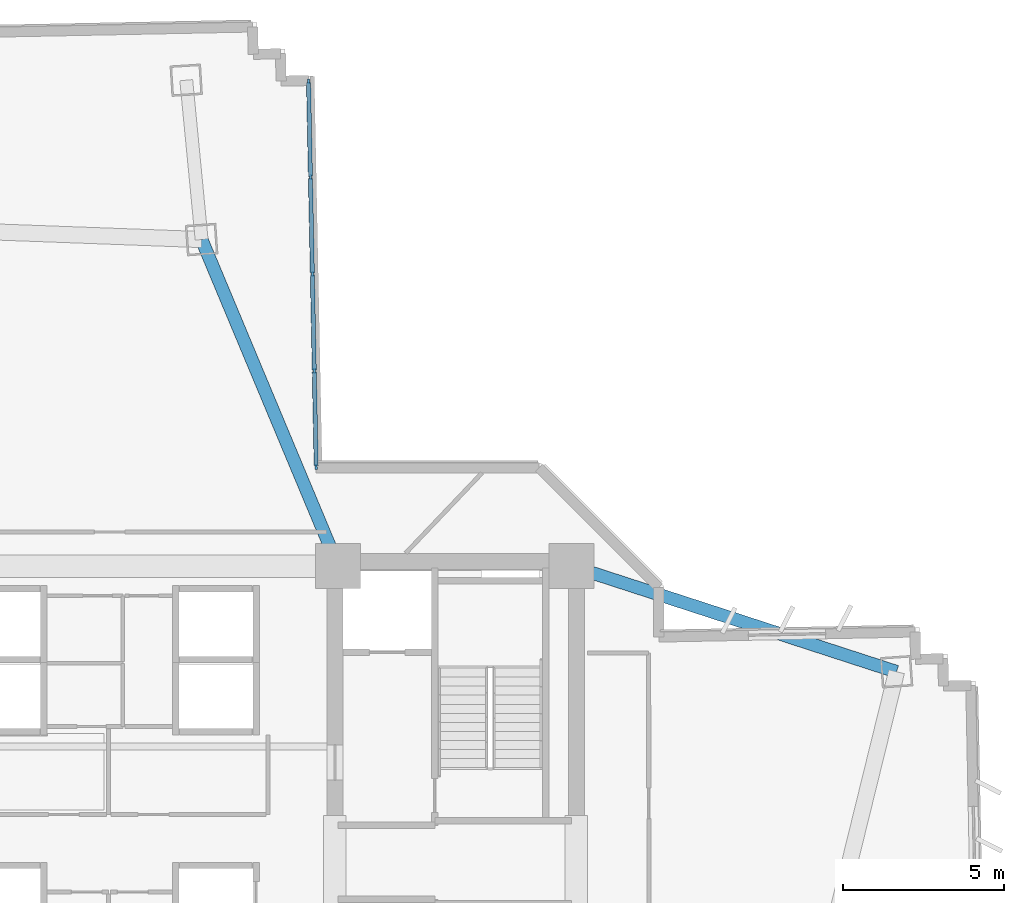
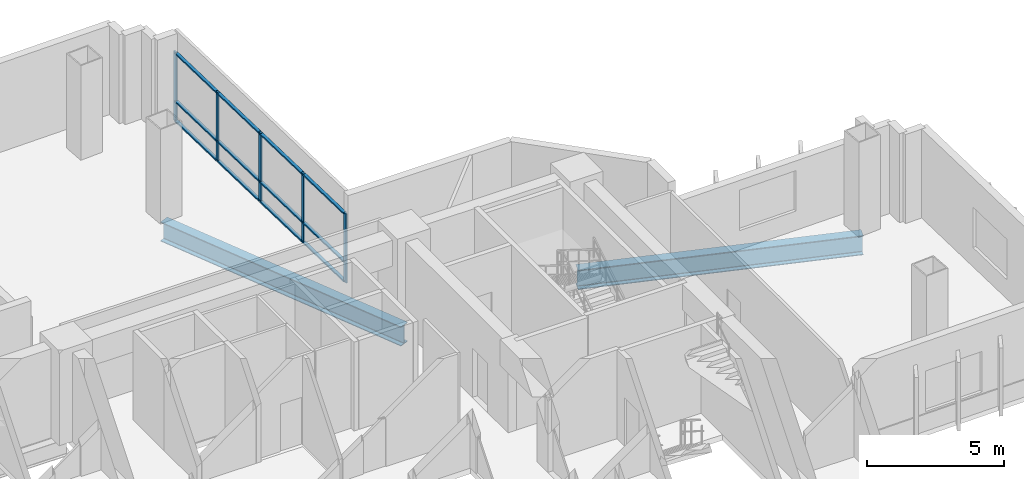
# One storey, part 4 of 15: 17 members, 2 beams, 1 element without a shape of its own.
"""IFC4 building model written with IfcOpenShell, lengths in metres."""

from ifc_helpers import new_model, si_unit, direction, frame, origin, origin_2d, place, context, subcontext, project, spatial, rectangle, i_section, extrude, source, transform, mapped, material, layer, layer_set, material_profile, profile_set, type_object, element, aggregate, save


model = new_model("IFC4")

# Units and contexts
model_context = context("Model", 3, precision=1e-05, world=origin(), true_north=direction((0.0, 1.0)))
body_context = subcontext(model_context, "Body", "Model", "MODEL_VIEW")
ifc_project = project(units=[si_unit("LENGTHUNIT", "METRE"), si_unit("AREAUNIT", "SQUARE_METRE"), si_unit("VOLUMEUNIT", "CUBIC_METRE"), si_unit("PLANEANGLEUNIT", "RADIAN"), si_unit("MASSUNIT", "GRAM", prefix="KILO")], contexts=[model_context])

# Site, building, storey
site_placement = place(None, origin())
site = spatial("IfcSite", under=ifc_project, at=site_placement, CompositionType="ELEMENT")
building_placement = place(site_placement, origin())
building = spatial("IfcBuilding", under=site, at=building_placement, Name="Zahravan Cultural Tower", CompositionType="ELEMENT")
storey_placement = place(building_placement, frame((0.0, 0.0, 41.699951171875)))
storey = spatial("IfcBuildingStorey", under=building, at=storey_placement, Name="L08", CompositionType="ELEMENT", Elevation=41.699951171875)

# Beams
ifc_material_1 = material(Name="Steel ASTM A992 Grade 50", Category="steel")
ifc_material_profile_1 = material_profile(ifc_material_1, i_section(OverallWidth=0.39990234375, OverallDepth=0.862060546875, WebThickness=0.019775390625, FlangeThickness=0.032470703125, FilletRadius=0.02001953125, at=origin_2d()), Name="W33X221")
ifc_profile_set_1 = profile_set([ifc_material_profile_1], Name="Steel ASTM A992 Grade 50")
beam_type = type_object("IfcBeamType", Name="BM-G-W33X221", PredefinedType="BEAM", material=ifc_profile_set_1)
shared_shape_1 = source(origin(), body_context, "Body", "SweptSolid", [
    extrude(i_section(OverallWidth=0.39990234375, OverallDepth=0.862060546875, WebThickness=0.019775390625, FlangeThickness=0.032470703125, FilletRadius=0.02001953125, at=origin_2d()), origin(), (0.0, 0.0, 1.0), 10.615966796875),
])
beam_1_placement = place(storey_placement, frame((50.35009765625, 36.199951171875, -0.680908203125), z_axis=(0.951063640083, -0.30899506875, 0.0), x_axis=(0.30899506875, 0.951063640083, 0.0)))
element("IfcBeam", 1, at=beam_1_placement, inside=storey, type_object=beam_type, Name="L08 Beam BG-L08-11", PredefinedType="BEAM", context=body_context, shape_type="MappedRepresentation", body=[
    mapped(shared_shape_1, transform((0.0, 0.0, 0.0), x_axis=(1.0, 0.0, 0.0), y_axis=(0.0, 1.0, 0.0), z_axis=(0.0, 0.0, 1.0), scale=1.0)),
])
shared_shape_2 = source(origin(), body_context, "Body", "SweptSolid", [
    extrude(i_section(OverallWidth=0.39990234375, OverallDepth=0.862060546875, WebThickness=0.019775390625, FlangeThickness=0.032470703125, FilletRadius=0.02001953125, at=origin_2d()), origin(), (0.0, 0.0, 1.0), 10.997802734375),
])
beam_2_placement = place(storey_placement, frame((43.10009765625, 36.199951171875, -0.680908203125), z_axis=(-0.385775211449, 0.922592806297, 0.0), x_axis=(-0.922592806297, -0.385775211449, 0.0)))
element("IfcBeam", 2, at=beam_2_placement, inside=storey, type_object=beam_type, Name="L08 Beam BG-L08-12", PredefinedType="BEAM", context=body_context, shape_type="MappedRepresentation", body=[
    mapped(shared_shape_2, transform((0.0, 0.0, 0.0), x_axis=(1.0, 0.0, 0.0), y_axis=(0.0, 1.0, 0.0), z_axis=(0.0, 0.0, 1.0), scale=1.0)),
])

# Curtain wall, members
ifc_material_2 = material(Name="Anodised bronze-aluminium mullion", Category="aluminium")
ifc_layer = layer(ifc_material_2, 0.1650390625)
ifc_layer_set = layer_set([ifc_layer], Name="Anodised bronze-aluminium mullion")
curtain_wall_type = type_object("IfcCurtainWallType", Name="CW-SYS-4", PredefinedType="USERDEFINED", material=ifc_layer_set)
curtain_wall_placement = place(storey_placement, origin())
curtain_wall = element("IfcCurtainWall", 3, at=curtain_wall_placement, inside=storey, type_object=curtain_wall_type, Name="L08 Recessed Curtain Wall CW-4.2", ObjectType="RECESSED GLAZING", PredefinedType="USERDEFINED")
ifc_material_profile_2 = material_profile(ifc_material_2, rectangle(XDim=0.06494140625, YDim=0.1650390625, at=origin_2d()), Name="AL-M65X165")
ifc_profile_set_2 = profile_set([ifc_material_profile_2], Name="Anodised bronze-aluminium mullion")
member_type_1 = type_object("IfcMemberType", Name="CWM-CW-4", PredefinedType="MULLION", material=ifc_profile_set_2)
shared_shape_3 = source(origin(), body_context, "Body", "SweptSolid", [
    extrude(rectangle(XDim=0.06494140625, YDim=0.1650390625, at=origin_2d()), origin(), (0.0, 0.0, 1.0), 3.070068359375),
])
member_1_placement = place(storey_placement, frame((42.1787109375, 51.255126953125, 0.0), z_axis=(0.0, 0.0, 1.0), x_axis=(0.999801973139, 0.019900113269, 0.0)))
member_1 = element("IfcMember", 4, at=member_1_placement, type_object=member_type_1, Name="CW-4 mullion 1", PredefinedType="MULLION", context=body_context, shape_type="MappedRepresentation", body=[
    mapped(shared_shape_3, transform((0.0, 0.0, 0.0), x_axis=(1.0, 0.0, 0.0), y_axis=(0.0, 1.0, 0.0), z_axis=(0.0, 0.0, 1.0), scale=1.0)),
])
member_2_placement = place(storey_placement, frame((42.23779296875, 48.28076171875, 0.0), z_axis=(0.0, 0.0, 1.0), x_axis=(0.999801973139, 0.019900113269, 0.0)))
member_2 = element("IfcMember", 5, at=member_2_placement, type_object=member_type_1, Name="CW-4 mullion 2", PredefinedType="MULLION", context=body_context, shape_type="MappedRepresentation", body=[
    mapped(shared_shape_3, transform((0.0, 0.0, 0.0), x_axis=(1.0, 0.0, 0.0), y_axis=(0.0, 1.0, 0.0), z_axis=(0.0, 0.0, 1.0), scale=1.0)),
])
member_3_placement = place(storey_placement, frame((42.297607421875, 45.27392578125, 0.0), z_axis=(0.0, 0.0, 1.0), x_axis=(0.999801973139, 0.019900113269, 0.0)))
member_3 = element("IfcMember", 6, at=member_3_placement, type_object=member_type_1, Name="CW-4 mullion 3", PredefinedType="MULLION", context=body_context, shape_type="MappedRepresentation", body=[
    mapped(shared_shape_3, transform((0.0, 0.0, 0.0), x_axis=(1.0, 0.0, 0.0), y_axis=(0.0, 1.0, 0.0), z_axis=(0.0, 0.0, 1.0), scale=1.0)),
])
member_4_placement = place(storey_placement, frame((42.357666015625, 42.266845703125, 0.0), z_axis=(0.0, 0.0, 1.0), x_axis=(0.999801973139, 0.019900113269, 0.0)))
member_4 = element("IfcMember", 7, at=member_4_placement, type_object=member_type_1, Name="CW-4 mullion 4", PredefinedType="MULLION", context=body_context, shape_type="MappedRepresentation", body=[
    mapped(shared_shape_3, transform((0.0, 0.0, 0.0), x_axis=(1.0, 0.0, 0.0), y_axis=(0.0, 1.0, 0.0), z_axis=(0.0, 0.0, 1.0), scale=1.0)),
])
member_5_placement = place(storey_placement, frame((42.416748046875, 39.29248046875, 0.0), z_axis=(0.0, 0.0, 1.0), x_axis=(0.999801973139, 0.019900113269, 0.0)))
member_5 = element("IfcMember", 8, at=member_5_placement, type_object=member_type_1, Name="CW-4 mullion 5", PredefinedType="MULLION", context=body_context, shape_type="MappedRepresentation", body=[
    mapped(shared_shape_3, transform((0.0, 0.0, 0.0), x_axis=(1.0, 0.0, 0.0), y_axis=(0.0, 1.0, 0.0), z_axis=(0.0, 0.0, 1.0), scale=1.0)),
])
ifc_material_profile_3 = material_profile(ifc_material_2, rectangle(XDim=0.1298828125, YDim=0.06494140625, at=origin_2d()), Name="AL-T65X130")
ifc_profile_set_3 = profile_set([ifc_material_profile_3], Name="Anodised bronze-aluminium mullion")
member_type_2 = type_object("IfcMemberType", Name="CWT-CW-4", PredefinedType="USERDEFINED", material=ifc_profile_set_3)
shared_shape_4 = source(origin(), body_context, "Body", "SweptSolid", [
    extrude(rectangle(XDim=0.1298828125, YDim=0.06494140625, at=origin_2d()), origin(), (0.0, 0.0, 1.0), 2.909912109375),
])
member_6_placement = place(storey_placement, frame((42.17919921875, 51.22265625, 0.032470703125), z_axis=(0.019967487615, -0.999800629845, 0.0), x_axis=(0.999800629845, 0.019967487615, 0.0)))
member_6 = element("IfcMember", 9, at=member_6_placement, type_object=member_type_2, Name="CW-4 transom 1.1", ObjectType="TRANSOM", PredefinedType="USERDEFINED", context=body_context, shape_type="MappedRepresentation", body=[
    mapped(shared_shape_4, transform((0.0, 0.0, 0.0), x_axis=(1.0, 0.0, 0.0), y_axis=(0.0, 1.0, 0.0), z_axis=(0.0, 0.0, 1.0), scale=1.0)),
])
member_7_placement = place(storey_placement, frame((42.17919921875, 51.22265625, 0.900146484375), z_axis=(0.019967487615, -0.999800629845, 0.0), x_axis=(0.999800629845, 0.019967487615, 0.0)))
member_7 = element("IfcMember", 10, at=member_7_placement, type_object=member_type_2, Name="CW-4 transom 1.2", ObjectType="TRANSOM", PredefinedType="USERDEFINED", context=body_context, shape_type="MappedRepresentation", body=[
    mapped(shared_shape_4, transform((0.0, 0.0, 0.0), x_axis=(1.0, 0.0, 0.0), y_axis=(0.0, 1.0, 0.0), z_axis=(0.0, 0.0, 1.0), scale=1.0)),
])
member_8_placement = place(storey_placement, frame((42.17919921875, 51.22265625, 3.03759765625), z_axis=(0.019967487615, -0.999800629845, 0.0), x_axis=(0.999800629845, 0.019967487615, 0.0)))
member_8 = element("IfcMember", 11, at=member_8_placement, type_object=member_type_2, Name="CW-4 transom 1.3", ObjectType="TRANSOM", PredefinedType="USERDEFINED", context=body_context, shape_type="MappedRepresentation", body=[
    mapped(shared_shape_4, transform((0.0, 0.0, 0.0), x_axis=(1.0, 0.0, 0.0), y_axis=(0.0, 1.0, 0.0), z_axis=(0.0, 0.0, 1.0), scale=1.0)),
])
member_9_placement = place(storey_placement, frame((42.358154296875, 42.234375, 0.032470703125), z_axis=(0.019883623847, -0.999802301209, 0.0), x_axis=(0.999802301209, 0.019883623847, 0.0)))
member_9 = element("IfcMember", 12, at=member_9_placement, type_object=member_type_2, Name="CW-4 transom 4.1", ObjectType="TRANSOM", PredefinedType="USERDEFINED", context=body_context, shape_type="MappedRepresentation", body=[
    mapped(shared_shape_4, transform((0.0, 0.0, 0.0), x_axis=(1.0, 0.0, 0.0), y_axis=(0.0, 1.0, 0.0), z_axis=(0.0, 0.0, 1.0), scale=1.0)),
])
member_10_placement = place(storey_placement, frame((42.358154296875, 42.234375, 0.900146484375), z_axis=(0.019883623847, -0.999802301209, 0.0), x_axis=(0.999802301209, 0.019883623847, 0.0)))
member_10 = element("IfcMember", 13, at=member_10_placement, type_object=member_type_2, Name="CW-4 transom 4.2", ObjectType="TRANSOM", PredefinedType="USERDEFINED", context=body_context, shape_type="MappedRepresentation", body=[
    mapped(shared_shape_4, transform((0.0, 0.0, 0.0), x_axis=(1.0, 0.0, 0.0), y_axis=(0.0, 1.0, 0.0), z_axis=(0.0, 0.0, 1.0), scale=1.0)),
])
member_11_placement = place(storey_placement, frame((42.358154296875, 42.234375, 3.03759765625), z_axis=(0.019883623847, -0.999802301209, 0.0), x_axis=(0.999802301209, 0.019883623847, 0.0)))
member_11 = element("IfcMember", 14, at=member_11_placement, type_object=member_type_2, Name="CW-4 transom 4.3", ObjectType="TRANSOM", PredefinedType="USERDEFINED", context=body_context, shape_type="MappedRepresentation", body=[
    mapped(shared_shape_4, transform((0.0, 0.0, 0.0), x_axis=(1.0, 0.0, 0.0), y_axis=(0.0, 1.0, 0.0), z_axis=(0.0, 0.0, 1.0), scale=1.0)),
])
shared_shape_5 = source(origin(), body_context, "Body", "SweptSolid", [
    extrude(rectangle(XDim=0.1298828125, YDim=0.06494140625, at=origin_2d()), origin(), (0.0, 0.0, 1.0), 2.9423828125),
])
member_12_placement = place(storey_placement, frame((42.238525390625, 48.248291015625, 0.032470703125), z_axis=(0.019913063209, -0.999801715298, 0.0), x_axis=(0.999801715298, 0.019913063209, 0.0)))
member_12 = element("IfcMember", 15, at=member_12_placement, type_object=member_type_2, Name="CW-4 transom 2.1", ObjectType="TRANSOM", PredefinedType="USERDEFINED", context=body_context, shape_type="MappedRepresentation", body=[
    mapped(shared_shape_5, transform((0.0, 0.0, 0.0), x_axis=(1.0, 0.0, 0.0), y_axis=(0.0, 1.0, 0.0), z_axis=(0.0, 0.0, 1.0), scale=1.0)),
])
member_13_placement = place(storey_placement, frame((42.238525390625, 48.248291015625, 0.900146484375), z_axis=(0.019913063209, -0.999801715298, 0.0), x_axis=(0.999801715298, 0.019913063209, 0.0)))
member_13 = element("IfcMember", 16, at=member_13_placement, type_object=member_type_2, Name="CW-4 transom 2.2", ObjectType="TRANSOM", PredefinedType="USERDEFINED", context=body_context, shape_type="MappedRepresentation", body=[
    mapped(shared_shape_5, transform((0.0, 0.0, 0.0), x_axis=(1.0, 0.0, 0.0), y_axis=(0.0, 1.0, 0.0), z_axis=(0.0, 0.0, 1.0), scale=1.0)),
])
member_14_placement = place(storey_placement, frame((42.238525390625, 48.248291015625, 3.03759765625), z_axis=(0.019913063209, -0.999801715298, 0.0), x_axis=(0.999801715298, 0.019913063209, 0.0)))
member_14 = element("IfcMember", 17, at=member_14_placement, type_object=member_type_2, Name="CW-4 transom 2.3", ObjectType="TRANSOM", PredefinedType="USERDEFINED", context=body_context, shape_type="MappedRepresentation", body=[
    mapped(shared_shape_5, transform((0.0, 0.0, 0.0), x_axis=(1.0, 0.0, 0.0), y_axis=(0.0, 1.0, 0.0), z_axis=(0.0, 0.0, 1.0), scale=1.0)),
])
shared_shape_6 = source(origin(), body_context, "Body", "SweptSolid", [
    extrude(rectangle(XDim=0.1298828125, YDim=0.06494140625, at=origin_2d()), origin(), (0.0, 0.0, 1.0), 2.942626953125),
])
member_15_placement = place(storey_placement, frame((42.29833984375, 45.241455078125, 0.032470703125), z_axis=(0.019911411465, -0.999801748195, 0.0), x_axis=(0.999801748195, 0.019911411465, 0.0)))
member_15 = element("IfcMember", 18, at=member_15_placement, type_object=member_type_2, Name="CW-4 transom 3.1", ObjectType="TRANSOM", PredefinedType="USERDEFINED", context=body_context, shape_type="MappedRepresentation", body=[
    mapped(shared_shape_6, transform((0.0, 0.0, 0.0), x_axis=(1.0, 0.0, 0.0), y_axis=(0.0, 1.0, 0.0), z_axis=(0.0, 0.0, 1.0), scale=1.0)),
])
member_16_placement = place(storey_placement, frame((42.29833984375, 45.241455078125, 0.900146484375), z_axis=(0.019911411465, -0.999801748195, 0.0), x_axis=(0.999801748195, 0.019911411465, 0.0)))
member_16 = element("IfcMember", 19, at=member_16_placement, type_object=member_type_2, Name="CW-4 transom 3.2", ObjectType="TRANSOM", PredefinedType="USERDEFINED", context=body_context, shape_type="MappedRepresentation", body=[
    mapped(shared_shape_6, transform((0.0, 0.0, 0.0), x_axis=(1.0, 0.0, 0.0), y_axis=(0.0, 1.0, 0.0), z_axis=(0.0, 0.0, 1.0), scale=1.0)),
])
member_17_placement = place(storey_placement, frame((42.29833984375, 45.241455078125, 3.03759765625), z_axis=(0.019911411465, -0.999801748195, 0.0), x_axis=(0.999801748195, 0.019911411465, 0.0)))
member_17 = element("IfcMember", 20, at=member_17_placement, type_object=member_type_2, Name="CW-4 transom 3.3", ObjectType="TRANSOM", PredefinedType="USERDEFINED", context=body_context, shape_type="MappedRepresentation", body=[
    mapped(shared_shape_6, transform((0.0, 0.0, 0.0), x_axis=(1.0, 0.0, 0.0), y_axis=(0.0, 1.0, 0.0), z_axis=(0.0, 0.0, 1.0), scale=1.0)),
])
aggregate(curtain_wall, [member_1, member_2, member_3, member_4, member_5, member_6, member_7, member_8, member_12, member_13, member_14, member_15, member_16, member_17, member_9, member_10, member_11])

save(model, "model.ifc")
